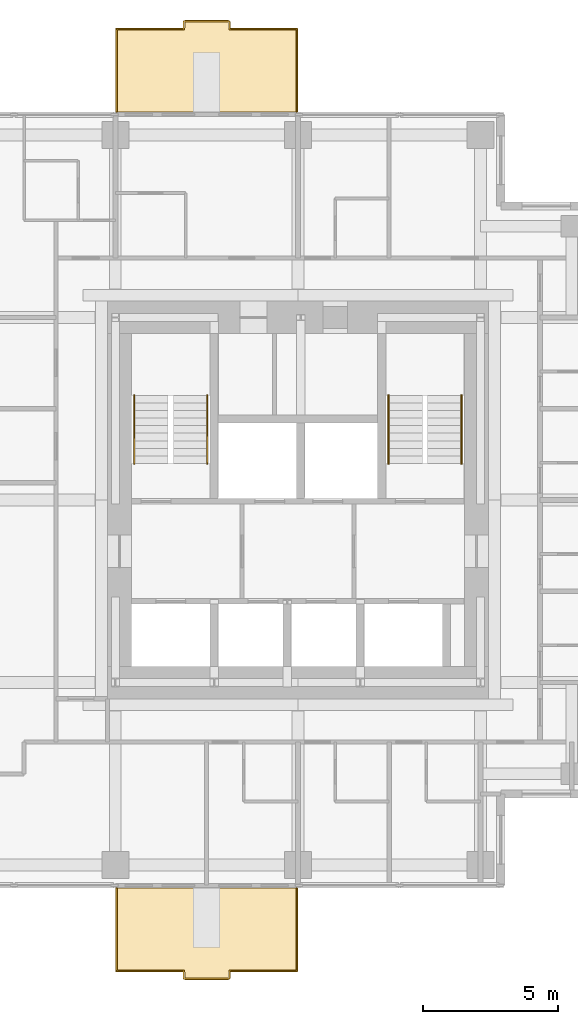
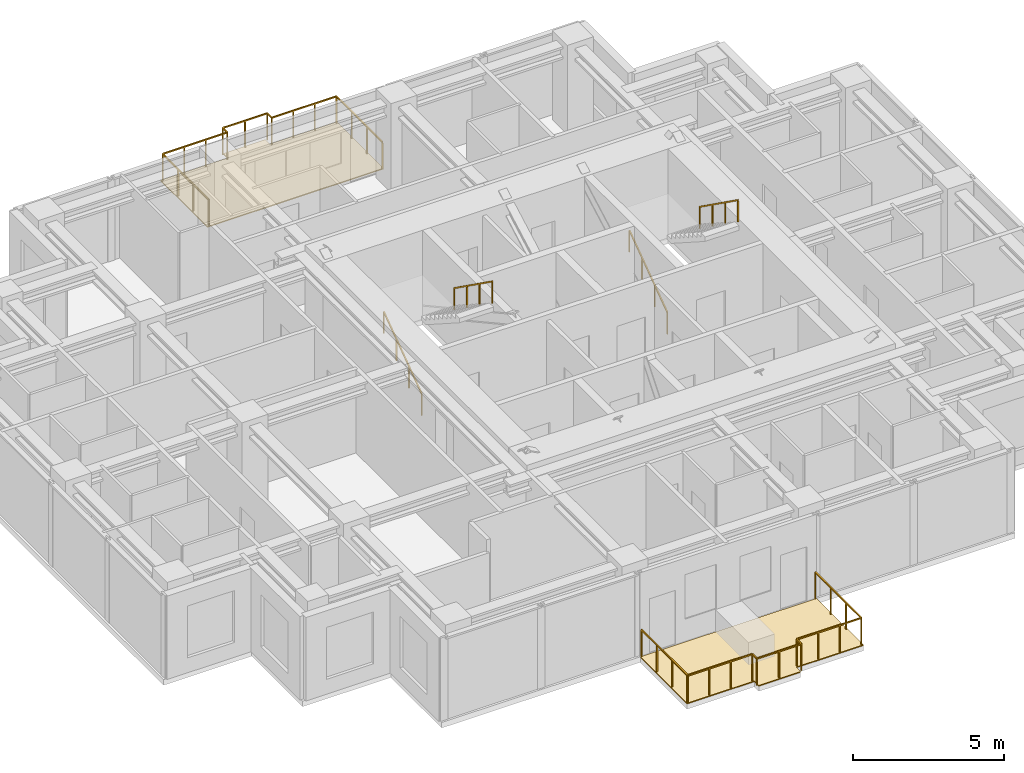
# One storey, part 8 of 8: 6 railings, 2 coverings.
"""IFC4 building model written with IfcOpenShell, lengths in metres."""

from ifc_helpers import new_model, si_unit, direction, frame, origin, origin_2d, place, context, subcontext, project, spatial, polyline, rectangle, outline, extrude, material, layer, layer_set, type_object, element, save


model = new_model("IFC4")

# Units and contexts
model_context = context("Model", 3, precision=1e-05, world=origin(), true_north=direction((0.0, 1.0)))
body_context = subcontext(model_context, "Body", "Model", "MODEL_VIEW")
ifc_project = project(units=[si_unit("LENGTHUNIT", "METRE"), si_unit("AREAUNIT", "SQUARE_METRE"), si_unit("VOLUMEUNIT", "CUBIC_METRE"), si_unit("PLANEANGLEUNIT", "RADIAN"), si_unit("MASSUNIT", "GRAM", prefix="KILO")], contexts=[model_context])

# Site, building, storey
site_placement = place(None, origin())
site = spatial("IfcSite", under=ifc_project, at=site_placement, CompositionType="ELEMENT")
building_placement = place(site_placement, origin())
building = spatial("IfcBuilding", under=site, at=building_placement, Name="Nyansa Garden Tower", CompositionType="ELEMENT")
storey_placement = place(building_placement, frame((0.0, 0.0, 240.300048828125)))
storey = spatial("IfcBuildingStorey", under=building, at=storey_placement, Name="L65", CompositionType="ELEMENT", Elevation=240.300048828125)

# Coverings
ifc_material_1 = material(Name="Hardwood decking on pedestals", Category="wood")
ifc_layer = layer(ifc_material_1, 0.0400390625)
ifc_layer_set = layer_set([ifc_layer], Name="Balcony decking DK40")
covering_type = type_object("IfcCoveringType", Name="Balcony decking DK40", PredefinedType="FLOORING", material=ifc_layer_set)
covering_1_placement = place(storey_placement, frame((0.0, 0.0, -0.0400390625)))
element("IfcCovering", 1, at=covering_1_placement, inside=storey, type_object=covering_type, Name="Balcony decking L65", PredefinedType="FLOORING", context=body_context, shape_type="SweptSolid", body=[
    extrude(outline(polyline([(13.5, 5.89990234375), (20.25, 5.89990234375), (20.25, 2.800048828125), (17.675048828125, 2.800048828125), (17.675048828125, 2.5), (16.074951171875, 2.5), (16.074951171875, 2.800048828125), (13.5, 2.800048828125), (13.5, 5.89990234375)])), origin(), (0.0, 0.0, 1.0), 0.0400390625),
])
covering_2_placement = place(storey_placement, frame((0.0, 0.0, -0.0400390625)))
element("IfcCovering", 2, at=covering_2_placement, inside=storey, type_object=covering_type, Name="Balcony decking L65", PredefinedType="FLOORING", context=body_context, shape_type="SweptSolid", body=[
    extrude(outline(polyline([(13.5, 34.60009765625), (20.25, 34.60009765625), (20.25, 37.699951171875), (17.675048828125, 37.699951171875), (17.675048828125, 38.0), (16.074951171875, 38.0), (16.074951171875, 37.699951171875), (13.5, 37.699951171875), (13.5, 34.60009765625)])), origin(), (0.0, 0.0, 1.0), 0.0400390625),
])

# Railings
ifc_material_2 = material(Name="Black powder-coated steel balusters, laminated glass infill", Category="steel")
railing_type_1 = type_object("IfcRailingType", Name="Balcony guard G1", PredefinedType="GUARDRAIL", material=ifc_material_2)
railing_1_placement = place(storey_placement, frame((13.550048828125, 5.89990234375, 0.0)))
element("IfcRailing", 3, at=railing_1_placement, inside=storey, type_object=railing_type_1, Name="Balcony guard L65", PredefinedType="GUARDRAIL", context=body_context, shape_type="SweptSolid", body=[
    extrude(rectangle(XDim=0.048095703125, YDim=0.048095703125, at=origin_2d()), frame((0.0, 0.0, 1.076171875), z_axis=(0.0, -1.0, 0.0), x_axis=(1.0, 0.0, 0.0)), (0.0, 0.0, 1.0), 3.0498046875),
    extrude(rectangle(XDim=0.048095703125, YDim=0.048095703125, at=origin_2d()), frame((0.0, -3.0498046875, 1.076171875), z_axis=(1.0, 0.0, 0.0), x_axis=(0.0, 1.0, 0.0)), (0.0, 0.0, 1.0), 2.474853515625),
    extrude(rectangle(XDim=0.048095703125, YDim=0.048095703125, at=origin_2d()), frame((2.474853515625, -3.0498046875, 1.076171875), z_axis=(0.0, -1.0, 0.0), x_axis=(1.0, 0.0, 0.0)), (0.0, 0.0, 1.0), 0.300048828125),
    extrude(rectangle(XDim=0.048095703125, YDim=0.048095703125, at=origin_2d()), frame((2.474853515625, -3.349853515625, 1.076171875), z_axis=(1.0, 0.0, 0.0), x_axis=(0.0, 1.0, 0.0)), (0.0, 0.0, 1.0), 1.7001953125),
    extrude(rectangle(XDim=0.048095703125, YDim=0.048095703125, at=origin_2d()), frame((4.175048828125, -3.349853515625, 1.076171875), z_axis=(0.0, 1.0, 0.0), x_axis=(-1.0, 0.0, 0.0)), (0.0, 0.0, 1.0), 0.300048828125),
    extrude(rectangle(XDim=0.048095703125, YDim=0.048095703125, at=origin_2d()), frame((4.175048828125, -3.0498046875, 1.076171875), z_axis=(1.0, 0.0, 0.0), x_axis=(0.0, 1.0, 0.0)), (0.0, 0.0, 1.0), 2.474853515625),
    extrude(rectangle(XDim=0.048095703125, YDim=0.048095703125, at=origin_2d()), frame((6.64990234375, -3.0498046875, 1.076171875), z_axis=(0.0, 1.0, 0.0), x_axis=(-1.0, 0.0, 0.0)), (0.0, 0.0, 1.0), 3.0498046875),
    extrude(rectangle(XDim=0.0419921875, YDim=0.0419921875, at=origin_2d()), origin(), (0.0, 0.0, 1.0), 1.052001953125),
    extrude(rectangle(XDim=0.0419921875, YDim=0.0419921875, at=origin_2d()), frame((0.0, -1.0166015625, 0.0)), (0.0, 0.0, 1.0), 1.052001953125),
    extrude(rectangle(XDim=0.0419921875, YDim=0.0419921875, at=origin_2d()), frame((0.0, -2.033203125, 0.0)), (0.0, 0.0, 1.0), 1.052001953125),
    extrude(rectangle(XDim=0.0419921875, YDim=0.0419921875, at=origin_2d()), frame((0.0, -3.0498046875, 0.0)), (0.0, 0.0, 1.0), 1.052001953125),
    extrude(rectangle(XDim=0.0419921875, YDim=0.0419921875, at=origin_2d()), frame((0.824951171875, -3.0498046875, 0.0)), (0.0, 0.0, 1.0), 1.052001953125),
    extrude(rectangle(XDim=0.0419921875, YDim=0.0419921875, at=origin_2d()), frame((1.64990234375, -3.0498046875, 0.0)), (0.0, 0.0, 1.0), 1.052001953125),
    extrude(rectangle(XDim=0.0419921875, YDim=0.0419921875, at=origin_2d()), frame((2.474853515625, -3.0498046875, 0.0)), (0.0, 0.0, 1.0), 1.052001953125),
    extrude(rectangle(XDim=0.0419921875, YDim=0.0419921875, at=origin_2d()), frame((2.474853515625, -3.349853515625, 0.0)), (0.0, 0.0, 1.0), 1.052001953125),
    extrude(rectangle(XDim=0.0419921875, YDim=0.0419921875, at=origin_2d()), frame((3.324951171875, -3.349853515625, 0.0)), (0.0, 0.0, 1.0), 1.052001953125),
    extrude(rectangle(XDim=0.0419921875, YDim=0.0419921875, at=origin_2d()), frame((4.175048828125, -3.349853515625, 0.0)), (0.0, 0.0, 1.0), 1.052001953125),
    extrude(rectangle(XDim=0.0419921875, YDim=0.0419921875, at=origin_2d()), frame((4.175048828125, -3.0498046875, 0.0)), (0.0, 0.0, 1.0), 1.052001953125),
    extrude(rectangle(XDim=0.0419921875, YDim=0.0419921875, at=origin_2d()), frame((5.0, -3.0498046875, 0.0)), (0.0, 0.0, 1.0), 1.052001953125),
    extrude(rectangle(XDim=0.0419921875, YDim=0.0419921875, at=origin_2d()), frame((5.824951171875, -3.0498046875, 0.0)), (0.0, 0.0, 1.0), 1.052001953125),
    extrude(rectangle(XDim=0.0419921875, YDim=0.0419921875, at=origin_2d()), frame((6.64990234375, -3.0498046875, 0.0)), (0.0, 0.0, 1.0), 1.052001953125),
    extrude(rectangle(XDim=0.0419921875, YDim=0.0419921875, at=origin_2d()), frame((6.64990234375, -2.033203125, 0.0)), (0.0, 0.0, 1.0), 1.052001953125),
    extrude(rectangle(XDim=0.0419921875, YDim=0.0419921875, at=origin_2d()), frame((6.64990234375, -1.0166015625, 0.0)), (0.0, 0.0, 1.0), 1.052001953125),
    extrude(rectangle(XDim=0.0419921875, YDim=0.0419921875, at=origin_2d()), frame((6.64990234375, 0.0, 0.0)), (0.0, 0.0, 1.0), 1.052001953125),
])
railing_2_placement = place(storey_placement, frame((13.550048828125, 34.60009765625, 0.0)))
element("IfcRailing", 4, at=railing_2_placement, inside=storey, type_object=railing_type_1, Name="Balcony guard L65", PredefinedType="GUARDRAIL", context=body_context, shape_type="SweptSolid", body=[
    extrude(rectangle(XDim=0.048095703125, YDim=0.048095703125, at=origin_2d()), frame((0.0, 0.0, 1.076171875), z_axis=(0.0, 1.0, 0.0), x_axis=(-1.0, 0.0, 0.0)), (0.0, 0.0, 1.0), 3.0498046875),
    extrude(rectangle(XDim=0.048095703125, YDim=0.048095703125, at=origin_2d()), frame((0.0, 3.0498046875, 1.076171875), z_axis=(1.0, 0.0, 0.0), x_axis=(0.0, 1.0, 0.0)), (0.0, 0.0, 1.0), 2.474853515625),
    extrude(rectangle(XDim=0.048095703125, YDim=0.048095703125, at=origin_2d()), frame((2.474853515625, 3.0498046875, 1.076171875), z_axis=(0.0, 1.0, 0.0), x_axis=(-1.0, 0.0, 0.0)), (0.0, 0.0, 1.0), 0.300048828125),
    extrude(rectangle(XDim=0.048095703125, YDim=0.048095703125, at=origin_2d()), frame((2.474853515625, 3.349853515625, 1.076171875), z_axis=(1.0, 0.0, 0.0), x_axis=(0.0, 1.0, 0.0)), (0.0, 0.0, 1.0), 1.7001953125),
    extrude(rectangle(XDim=0.048095703125, YDim=0.048095703125, at=origin_2d()), frame((4.175048828125, 3.349853515625, 1.076171875), z_axis=(0.0, -1.0, 0.0), x_axis=(1.0, 0.0, 0.0)), (0.0, 0.0, 1.0), 0.300048828125),
    extrude(rectangle(XDim=0.048095703125, YDim=0.048095703125, at=origin_2d()), frame((4.175048828125, 3.0498046875, 1.076171875), z_axis=(1.0, 0.0, 0.0), x_axis=(0.0, 1.0, 0.0)), (0.0, 0.0, 1.0), 2.474853515625),
    extrude(rectangle(XDim=0.048095703125, YDim=0.048095703125, at=origin_2d()), frame((6.64990234375, 3.0498046875, 1.076171875), z_axis=(0.0, -1.0, 0.0), x_axis=(1.0, 0.0, 0.0)), (0.0, 0.0, 1.0), 3.0498046875),
    extrude(rectangle(XDim=0.0419921875, YDim=0.0419921875, at=origin_2d()), origin(), (0.0, 0.0, 1.0), 1.052001953125),
    extrude(rectangle(XDim=0.0419921875, YDim=0.0419921875, at=origin_2d()), frame((0.0, 1.0166015625, 0.0)), (0.0, 0.0, 1.0), 1.052001953125),
    extrude(rectangle(XDim=0.0419921875, YDim=0.0419921875, at=origin_2d()), frame((0.0, 2.033203125, 0.0)), (0.0, 0.0, 1.0), 1.052001953125),
    extrude(rectangle(XDim=0.0419921875, YDim=0.0419921875, at=origin_2d()), frame((0.0, 3.0498046875, 0.0)), (0.0, 0.0, 1.0), 1.052001953125),
    extrude(rectangle(XDim=0.0419921875, YDim=0.0419921875, at=origin_2d()), frame((0.824951171875, 3.0498046875, 0.0)), (0.0, 0.0, 1.0), 1.052001953125),
    extrude(rectangle(XDim=0.0419921875, YDim=0.0419921875, at=origin_2d()), frame((1.64990234375, 3.0498046875, 0.0)), (0.0, 0.0, 1.0), 1.052001953125),
    extrude(rectangle(XDim=0.0419921875, YDim=0.0419921875, at=origin_2d()), frame((2.474853515625, 3.0498046875, 0.0)), (0.0, 0.0, 1.0), 1.052001953125),
    extrude(rectangle(XDim=0.0419921875, YDim=0.0419921875, at=origin_2d()), frame((2.474853515625, 3.349853515625, 0.0)), (0.0, 0.0, 1.0), 1.052001953125),
    extrude(rectangle(XDim=0.0419921875, YDim=0.0419921875, at=origin_2d()), frame((3.324951171875, 3.349853515625, 0.0)), (0.0, 0.0, 1.0), 1.052001953125),
    extrude(rectangle(XDim=0.0419921875, YDim=0.0419921875, at=origin_2d()), frame((4.175048828125, 3.349853515625, 0.0)), (0.0, 0.0, 1.0), 1.052001953125),
    extrude(rectangle(XDim=0.0419921875, YDim=0.0419921875, at=origin_2d()), frame((4.175048828125, 3.0498046875, 0.0)), (0.0, 0.0, 1.0), 1.052001953125),
    extrude(rectangle(XDim=0.0419921875, YDim=0.0419921875, at=origin_2d()), frame((5.0, 3.0498046875, 0.0)), (0.0, 0.0, 1.0), 1.052001953125),
    extrude(rectangle(XDim=0.0419921875, YDim=0.0419921875, at=origin_2d()), frame((5.824951171875, 3.0498046875, 0.0)), (0.0, 0.0, 1.0), 1.052001953125),
    extrude(rectangle(XDim=0.0419921875, YDim=0.0419921875, at=origin_2d()), frame((6.64990234375, 3.0498046875, 0.0)), (0.0, 0.0, 1.0), 1.052001953125),
    extrude(rectangle(XDim=0.0419921875, YDim=0.0419921875, at=origin_2d()), frame((6.64990234375, 2.033203125, 0.0)), (0.0, 0.0, 1.0), 1.052001953125),
    extrude(rectangle(XDim=0.0419921875, YDim=0.0419921875, at=origin_2d()), frame((6.64990234375, 1.0166015625, 0.0)), (0.0, 0.0, 1.0), 1.052001953125),
    extrude(rectangle(XDim=0.0419921875, YDim=0.0419921875, at=origin_2d()), frame((6.64990234375, 0.0, 0.0)), (0.0, 0.0, 1.0), 1.052001953125),
])
ifc_material_3 = material(Name="Black powder-coated steel tube 48 mm", Category="steel")
railing_type_2 = type_object("IfcRailingType", Name="Stair handrail HR1", PredefinedType="HANDRAIL", material=ifc_material_3)
railing_3_placement = place(storey_placement, frame((14.199951171875, 21.60009765625, 0.0)))
element("IfcRailing", 5, at=railing_3_placement, inside=storey, type_object=railing_type_2, Name="Stair S1 handrail L65", PredefinedType="HANDRAIL", context=body_context, shape_type="SweptSolid", body=[
    extrude(rectangle(XDim=0.048095703125, YDim=0.048095703125, at=origin_2d()), frame((0.0, 0.0, 0.8759765625), z_axis=(0.0, 0.813728144527, 0.581245650998), x_axis=(-1.0, 0.0, 0.0)), (0.0, 0.0, 1.0), 3.096923828125),
    extrude(rectangle(XDim=0.0419921875, YDim=0.0419921875, at=origin_2d()), origin(), (0.0, 0.0, 1.0), 0.851806640625),
    extrude(rectangle(XDim=0.0419921875, YDim=0.0419921875, at=origin_2d()), frame((0.0, 0.840087890625, 0.60009765625)), (0.0, 0.0, 1.0), 0.851806640625),
    extrude(rectangle(XDim=0.0419921875, YDim=0.0419921875, at=origin_2d()), frame((0.0, 1.679931640625, 1.199951171875)), (0.0, 0.0, 1.0), 0.851806640625),
    extrude(rectangle(XDim=0.0419921875, YDim=0.0419921875, at=origin_2d()), frame((0.0, 2.52001953125, 1.800048828125)), (0.0, 0.0, 1.0), 0.851806640625),
])
railing_4_placement = place(storey_placement, frame((16.89990234375, 24.1201171875, 1.800048828125)))
element("IfcRailing", 6, at=railing_4_placement, inside=storey, type_object=railing_type_2, Name="Stair S1 handrail L65", PredefinedType="HANDRAIL", context=body_context, shape_type="SweptSolid", body=[
    extrude(rectangle(XDim=0.048095703125, YDim=0.048095703125, at=origin_2d()), frame((0.0, 0.0, 0.8759765625), z_axis=(0.0, -0.813765431312, 0.581193446971), x_axis=(1.0, 0.0, 0.0)), (0.0, 0.0, 1.0), 3.0966796875),
    extrude(rectangle(XDim=0.0419921875, YDim=0.0419921875, at=origin_2d()), origin(), (0.0, 0.0, 1.0), 0.851806640625),
    extrude(rectangle(XDim=0.0419921875, YDim=0.0419921875, at=origin_2d()), frame((0.0, -0.840087890625, 0.599853515625)), (0.0, 0.0, 1.0), 0.851806640625),
    extrude(rectangle(XDim=0.0419921875, YDim=0.0419921875, at=origin_2d()), frame((0.0, -1.679931640625, 1.199951171875)), (0.0, 0.0, 1.0), 0.851806640625),
    extrude(rectangle(XDim=0.0419921875, YDim=0.0419921875, at=origin_2d()), frame((0.0, -2.52001953125, 1.7998046875)), (0.0, 0.0, 1.0), 0.851806640625),
])
railing_5_placement = place(storey_placement, frame((23.60009765625, 21.60009765625, 0.0)))
element("IfcRailing", 7, at=railing_5_placement, inside=storey, type_object=railing_type_2, Name="Stair S2 handrail L65", PredefinedType="HANDRAIL", context=body_context, shape_type="SweptSolid", body=[
    extrude(rectangle(XDim=0.048095703125, YDim=0.048095703125, at=origin_2d()), frame((0.0, 0.0, 0.8759765625), z_axis=(0.0, 0.813728144527, 0.581245650998), x_axis=(-1.0, 0.0, 0.0)), (0.0, 0.0, 1.0), 3.096923828125),
    extrude(rectangle(XDim=0.0419921875, YDim=0.0419921875, at=origin_2d()), origin(), (0.0, 0.0, 1.0), 0.851806640625),
    extrude(rectangle(XDim=0.0419921875, YDim=0.0419921875, at=origin_2d()), frame((0.0, 0.840087890625, 0.60009765625)), (0.0, 0.0, 1.0), 0.851806640625),
    extrude(rectangle(XDim=0.0419921875, YDim=0.0419921875, at=origin_2d()), frame((0.0, 1.679931640625, 1.199951171875)), (0.0, 0.0, 1.0), 0.851806640625),
    extrude(rectangle(XDim=0.0419921875, YDim=0.0419921875, at=origin_2d()), frame((0.0, 2.52001953125, 1.800048828125)), (0.0, 0.0, 1.0), 0.851806640625),
])
railing_6_placement = place(storey_placement, frame((26.300048828125, 24.1201171875, 1.800048828125)))
element("IfcRailing", 8, at=railing_6_placement, inside=storey, type_object=railing_type_2, Name="Stair S2 handrail L65", PredefinedType="HANDRAIL", context=body_context, shape_type="SweptSolid", body=[
    extrude(rectangle(XDim=0.048095703125, YDim=0.048095703125, at=origin_2d()), frame((0.0, 0.0, 0.8759765625), z_axis=(0.0, -0.813765431312, 0.581193446971), x_axis=(1.0, 0.0, 0.0)), (0.0, 0.0, 1.0), 3.0966796875),
    extrude(rectangle(XDim=0.0419921875, YDim=0.0419921875, at=origin_2d()), origin(), (0.0, 0.0, 1.0), 0.851806640625),
    extrude(rectangle(XDim=0.0419921875, YDim=0.0419921875, at=origin_2d()), frame((0.0, -0.840087890625, 0.599853515625)), (0.0, 0.0, 1.0), 0.851806640625),
    extrude(rectangle(XDim=0.0419921875, YDim=0.0419921875, at=origin_2d()), frame((0.0, -1.679931640625, 1.199951171875)), (0.0, 0.0, 1.0), 0.851806640625),
    extrude(rectangle(XDim=0.0419921875, YDim=0.0419921875, at=origin_2d()), frame((0.0, -2.52001953125, 1.7998046875)), (0.0, 0.0, 1.0), 0.851806640625),
])

save(model, "model.ifc")
